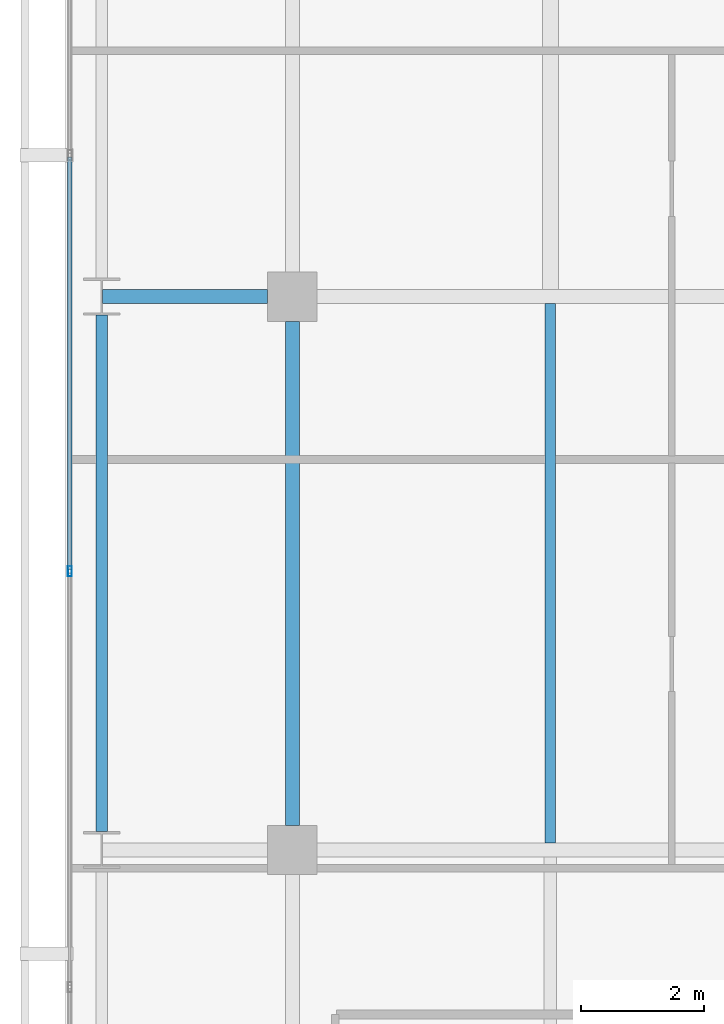
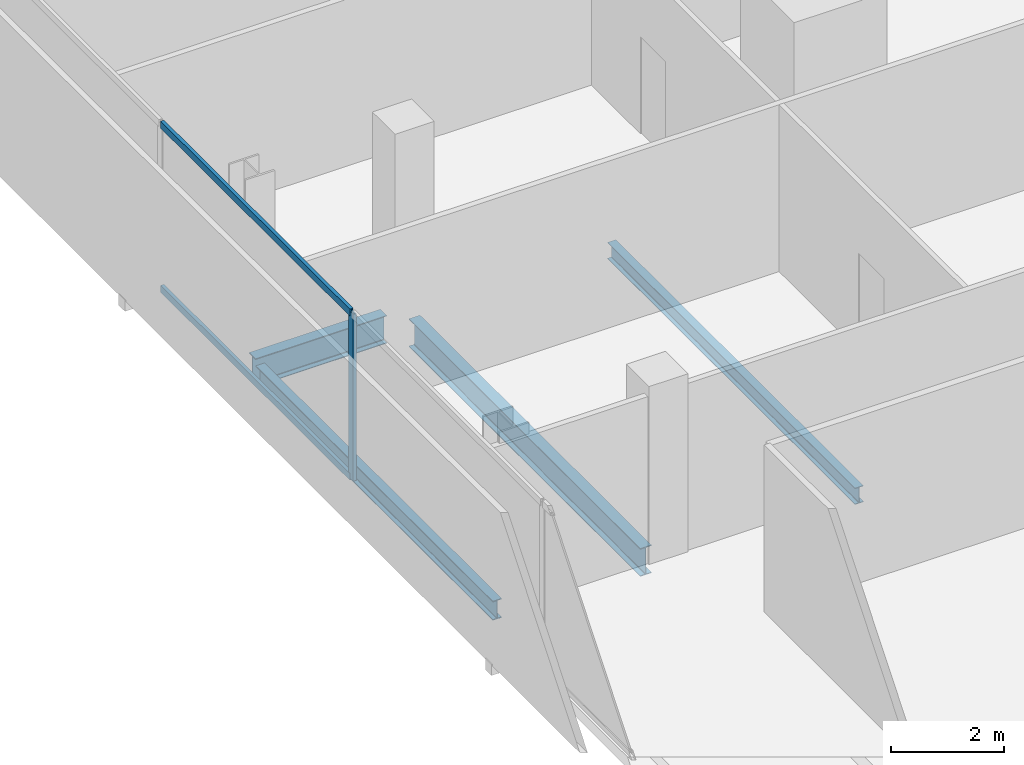
# One storey, part 8 of 32: 4 beams, 3 members, 1 element without a shape of its own.
"""IFC4 building model written with IfcOpenShell, lengths in metres."""

from ifc_helpers import new_model, si_unit, direction, frame, origin, origin_2d, place, context, subcontext, project, spatial, hollow_rectangle, i_section, extrude, material, layer, layer_set, material_profile, profile_set, type_object, element, aggregate, save


model = new_model("IFC4")

# Units and contexts
model_context = context("Model", 3, precision=1e-05, world=origin(), true_north=direction((0.0, 1.0)))
body_context = subcontext(model_context, "Body", "Model", "MODEL_VIEW")
ifc_project = project(units=[si_unit("LENGTHUNIT", "METRE"), si_unit("AREAUNIT", "SQUARE_METRE"), si_unit("VOLUMEUNIT", "CUBIC_METRE"), si_unit("PLANEANGLEUNIT", "RADIAN"), si_unit("MASSUNIT", "GRAM", prefix="KILO")], contexts=[model_context])

# Site, building, storey
site_placement = place(None, origin())
site = spatial("IfcSite", under=ifc_project, at=site_placement, CompositionType="ELEMENT")
building_placement = place(site_placement, origin())
building = spatial("IfcBuilding", under=site, at=building_placement, Name="Maruvema Waterfront Hotel and Observation Tower", CompositionType="ELEMENT")
storey_placement = place(building_placement, frame((0.0, 0.0, 165.89990234375)))
storey = spatial("IfcBuildingStorey", under=building, at=storey_placement, Name="L40", CompositionType="ELEMENT", Elevation=165.89990234375)

# Curtain wall, members
ifc_material_1 = material(Name="Anodised bronze aluminium and solar-control low-E IGU", Category="aluminium")
ifc_layer = layer(ifc_material_1, 0.159912109375, Name="Zone 2 Amber Inner Thermal Curtain Wall System CW-03")
ifc_layer_set = layer_set([ifc_layer], Name="Anodised bronze aluminium and solar-control low-E IGU")
curtain_wall_type = type_object("IfcCurtainWallType", Name="Zone 2 Amber Inner Thermal Curtain Wall System CW-03", PredefinedType="USERDEFINED", material=ifc_layer_set)
curtain_wall_placement = place(storey_placement, origin())
curtain_wall = element("IfcCurtainWall", 1, at=curtain_wall_placement, inside=storey, type_object=curtain_wall_type, Name="L40 Curtain Wall CW-L40-W", ObjectType="UNITISED CURTAIN WALL", PredefinedType="USERDEFINED")
ifc_material_2 = material(Name="Anodised architectural bronze aluminium", Category="aluminium")
ifc_material_profile_1 = material_profile(ifc_material_2, hollow_rectangle(XDim=0.070068359375, YDim=0.14990234375, WallThickness=0.00390625, at=origin_2d()), Name="ALU-T70x150")
ifc_profile_set_1 = profile_set([ifc_material_profile_1], Name="Anodised architectural bronze aluminium")
member_type_1 = type_object("IfcMemberType", Name="Curtain Wall Horizontal Transom ALU-T70x150", PredefinedType="USERDEFINED", material=ifc_profile_set_1)
member_1_placement = place(storey_placement, frame((13.179931640625, 29.27001953125, 0.030029296875), z_axis=(0.0, -1.0, 0.0), x_axis=(1.0, 0.0, 0.0)))
member_1 = element("IfcMember", 2, at=member_1_placement, type_object=member_type_1, Name="CW-03 transom 4.1", ObjectType="TRANSOM", PredefinedType="USERDEFINED", context=body_context, shape_type="SweptSolid", body=[
    extrude(hollow_rectangle(XDim=0.070068359375, YDim=0.14990234375, WallThickness=0.00390625, at=origin_2d()), origin(), (0.0, 0.0, 1.0), 6.706787109375),
])
member_2_placement = place(storey_placement, frame((13.179931640625, 29.27001953125, 3.580078125), z_axis=(0.0, -1.0, 0.0), x_axis=(1.0, 0.0, 0.0)))
member_2 = element("IfcMember", 3, at=member_2_placement, type_object=member_type_1, Name="CW-03 transom 4.2", ObjectType="TRANSOM", PredefinedType="USERDEFINED", context=body_context, shape_type="SweptSolid", body=[
    extrude(hollow_rectangle(XDim=0.070068359375, YDim=0.14990234375, WallThickness=0.00390625, at=origin_2d()), origin(), (0.0, 0.0, 1.0), 6.706787109375),
])
ifc_material_3 = material(Name="Anodised architectural bronze aluminium", Category="aluminium")
ifc_material_profile_2 = material_profile(ifc_material_3, hollow_rectangle(XDim=0.06494140625, YDim=0.1650390625, WallThickness=0.00390625, at=origin_2d()), Name="ALU-M65x165")
ifc_profile_set_2 = profile_set([ifc_material_profile_2], Name="Anodised architectural bronze aluminium")
member_type_2 = type_object("IfcMemberType", Name="Curtain Wall Primary Mullion ALU-M65x165", PredefinedType="MULLION", material=ifc_profile_set_2)
member_3_placement = place(storey_placement, frame((13.179931640625, 22.533447265625, 0.0), z_axis=(0.0, 0.0, 1.0), x_axis=(1.0, 0.0, 0.0)))
member_3 = element("IfcMember", 4, at=member_3_placement, type_object=member_type_2, Name="CW-03 mullion 5", PredefinedType="MULLION", context=body_context, shape_type="SweptSolid", body=[
    extrude(hollow_rectangle(XDim=0.06494140625, YDim=0.1650390625, WallThickness=0.00390625, at=origin_2d()), origin(), (0.0, 0.0, 1.0), 3.610107421875),
])
aggregate(curtain_wall, [member_3, member_1, member_2])

# Beams
ifc_material_4 = material(Name="Steel ASTM A572 Grade 50", Category="steel")
ifc_material_profile_3 = material_profile(ifc_material_4, i_section(OverallWidth=0.180908203125, OverallDepth=0.4169921875, WebThickness=0.010986328125, FlangeThickness=0.018310546875, FilletRadius=0.014892578125, at=origin_2d()), Name="W410x85.0")
ifc_profile_set_3 = profile_set([ifc_material_profile_3], Name="Steel ASTM A572 Grade 50")
beam_type_1 = type_object("IfcBeamType", Name="Perimeter Spandrel Beam W410x85.0", PredefinedType="SPANDREL", material=ifc_profile_set_3)
beam_1_placement = place(storey_placement, frame((13.699951171875, 18.300048828125, -0.448486328125), z_axis=(0.0, 1.0, 0.0), x_axis=(-1.0, 0.0, 0.0)))
element("IfcBeam", 5, at=beam_1_placement, inside=storey, type_object=beam_type_1, Name="L40 Floor Girder NS-02", PredefinedType="SPANDREL", context=body_context, shape_type="SweptSolid", body=[
    extrude(i_section(OverallWidth=0.180908203125, OverallDepth=0.4169921875, WebThickness=0.010986328125, FlangeThickness=0.018310546875, FilletRadius=0.014892578125, at=origin_2d()), origin(), (0.0, 0.0, 1.0), 8.39990234375),
])
ifc_material_5 = material(Name="Steel ASTM A572 Grade 50", Category="steel")
ifc_material_profile_4 = material_profile(ifc_material_5, i_section(OverallWidth=0.22802734375, OverallDepth=0.60302734375, WebThickness=0.010498046875, FlangeThickness=0.014892578125, FilletRadius=0.01806640625, at=origin_2d()), Name="W610x101.0")
ifc_profile_set_4 = profile_set([ifc_material_profile_4], Name="Steel ASTM A572 Grade 50")
beam_type_2 = type_object("IfcBeamType", Name="Primary Floor Girder W610x101.0", PredefinedType="BEAM", material=ifc_profile_set_4)
beam_2_placement = place(storey_placement, frame((13.71240234375, 27.0, -0.54150390625), z_axis=(1.0, 0.0, 0.0), x_axis=(0.0, 1.0, 0.0)))
element("IfcBeam", 6, at=beam_2_placement, inside=storey, type_object=beam_type_2, Name="L40 Floor Girder EW-18", PredefinedType="BEAM", context=body_context, shape_type="SweptSolid", body=[
    extrude(i_section(OverallWidth=0.22802734375, OverallDepth=0.60302734375, WebThickness=0.010498046875, FlangeThickness=0.014892578125, FilletRadius=0.01806640625, at=origin_2d()), origin(), (0.0, 0.0, 1.0), 2.6875),
])
beam_3_placement = place(storey_placement, frame((16.800048828125, 18.39990234375, -0.54150390625), z_axis=(0.0, 1.0, 0.0), x_axis=(-1.0, 0.0, 0.0)))
element("IfcBeam", 7, at=beam_3_placement, inside=storey, type_object=beam_type_2, Name="L40 Floor Girder NS-06", PredefinedType="BEAM", context=body_context, shape_type="SweptSolid", body=[
    extrude(i_section(OverallWidth=0.22802734375, OverallDepth=0.60302734375, WebThickness=0.010498046875, FlangeThickness=0.014892578125, FilletRadius=0.01806640625, at=origin_2d()), origin(), (0.0, 0.0, 1.0), 8.2001953125),
])
ifc_material_6 = material(Name="Steel ASTM A572 Grade 50", Category="steel")
ifc_material_profile_5 = material_profile(ifc_material_6, i_section(OverallWidth=0.1708984375, OverallDepth=0.35498046875, WebThickness=0.007080078125, FlangeThickness=0.01171875, FilletRadius=0.014892578125, at=origin_2d()), Name="W360x51.0")
ifc_profile_set_5 = profile_set([ifc_material_profile_5], Name="Steel ASTM A572 Grade 50")
beam_type_3 = type_object("IfcBeamType", Name="Secondary Floor Joist W360x51.0", PredefinedType="JOIST", material=ifc_profile_set_5)
beam_4_placement = place(storey_placement, frame((21.0, 18.114013671875, -0.41748046875), z_axis=(0.0, 1.0, 0.0), x_axis=(-1.0, 0.0, 0.0)))
element("IfcBeam", 8, at=beam_4_placement, inside=storey, type_object=beam_type_3, Name="L40 Secondary Floor Joist JS-02", PredefinedType="JOIST", context=body_context, shape_type="SweptSolid", body=[
    extrude(i_section(OverallWidth=0.1708984375, OverallDepth=0.35498046875, WebThickness=0.007080078125, FlangeThickness=0.01171875, FilletRadius=0.014892578125, at=origin_2d()), origin(), (0.0, 0.0, 1.0), 8.77197265625),
])

save(model, "model.ifc")
